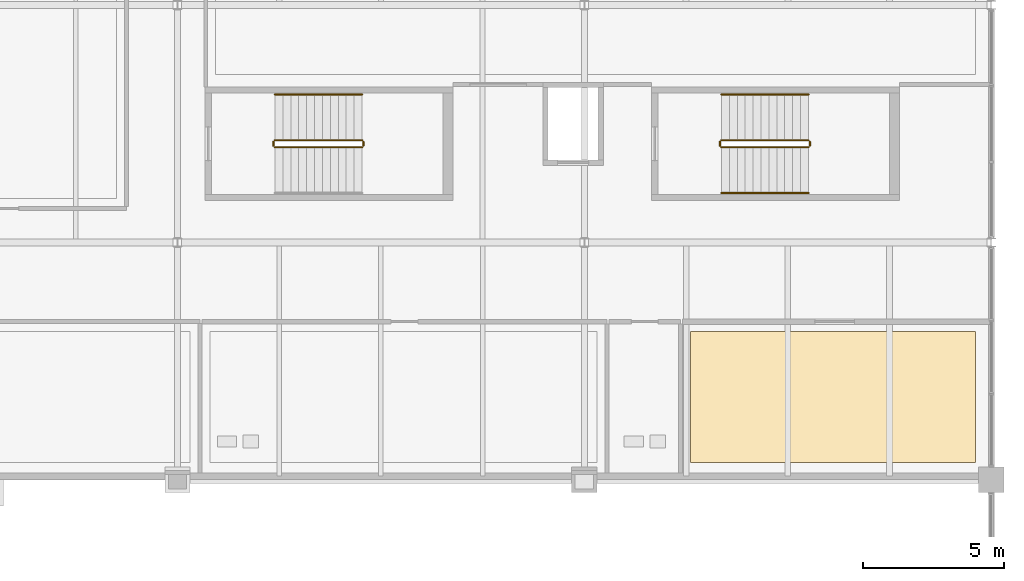
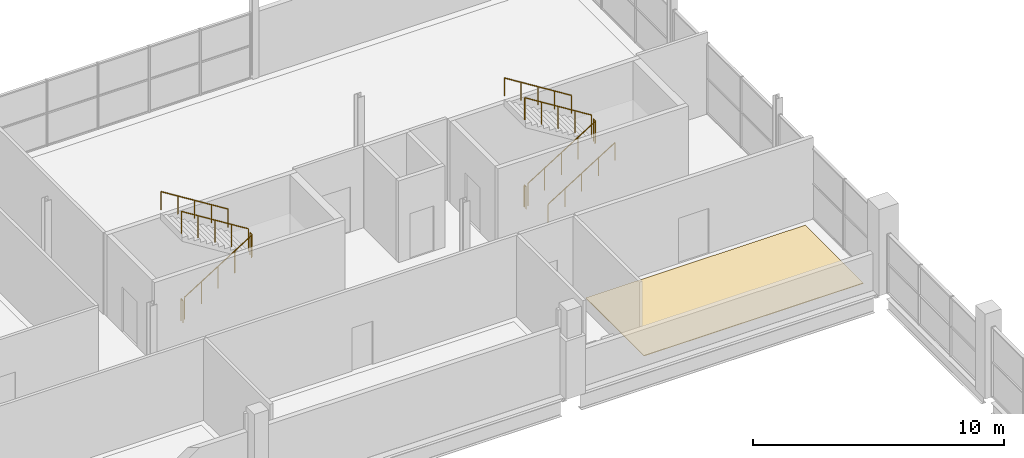
# One storey, part 66 of 68: 11 railings, 1 covering.
"""IFC4 building model written with IfcOpenShell, lengths in metres."""

from ifc_helpers import new_model, si_unit, direction, frame, origin, origin_2d, place, context, subcontext, project, spatial, polyline, circle, outline, extrude, material, layer, layer_set, type_object, element, save


model = new_model("IFC4")

# Units and contexts
model_context = context("Model", 3, precision=1e-05, world=origin(), true_north=direction((0.0, 1.0)))
body_context = subcontext(model_context, "Body", "Model", "MODEL_VIEW")
ifc_project = project(units=[si_unit("LENGTHUNIT", "METRE"), si_unit("AREAUNIT", "SQUARE_METRE"), si_unit("VOLUMEUNIT", "CUBIC_METRE"), si_unit("PLANEANGLEUNIT", "RADIAN"), si_unit("MASSUNIT", "GRAM", prefix="KILO"), si_unit("THERMODYNAMICTEMPERATUREUNIT", "KELVIN")], contexts=[model_context])

# Site, building, storey
site_placement = place(None, origin())
site = spatial("IfcSite", under=ifc_project, at=site_placement, CompositionType="ELEMENT")
building_placement = place(site_placement, origin())
building = spatial("IfcBuilding", under=site, at=building_placement, Name="Nduvali Passage Aquatics Centre", CompositionType="ELEMENT")
storey_placement = place(building_placement, frame((0.0, 0.0, 13.199951171875)))
storey = spatial("IfcBuildingStorey", under=building, at=storey_placement, Name="L03", CompositionType="ELEMENT", Elevation=13.199951171875)

# Covering
ifc_material_1 = material(Name="Polished coral-aggregate terrazzo")
ifc_layer = layer(ifc_material_1, 0.030029296875, Name="Polished coral-aggregate terrazzo")
ifc_layer_set = layer_set([ifc_layer], Name="Polished coral-aggregate terrazzo")
covering_type = type_object("IfcCoveringType", Name="INT-COV-TERRAZZO", PredefinedType="FLOORING", material=ifc_layer_set)
covering_placement = place(storey_placement, origin())
element("IfcCovering", 1, at=covering_placement, inside=storey, type_object=covering_type, Name="L03 Competition Records Archive and IT Server Room Floor Finish", PredefinedType="FLOORING", context=body_context, shape_type="SweptSolid", body=[
    extrude(outline(polyline([(115.35009765625, 93.010009765625), (125.449951171875, 93.010009765625), (125.449951171875, 97.64990234375), (115.35009765625, 97.64990234375), (115.35009765625, 93.010009765625)])), origin(), (0.0, 0.0, 1.0), 0.030029296875),
])

# Railings
ifc_material_2 = material(Name="Stainless steel balustrade", Category="steel")
railing_type_1 = type_object("IfcRailingType", Name="INT-RLG-GRD110", PredefinedType="GUARDRAIL", material=ifc_material_2)
railing_1_placement = place(storey_placement, frame((116.449951171875, 104.169921875, 0.175048828125)))
element("IfcRailing", 2, at=railing_1_placement, inside=storey, type_object=railing_type_1, Name="L03 ST2 stair guard 1", PredefinedType="GUARDRAIL", context=body_context, shape_type="SweptSolid", body=[
    extrude(circle(Radius=0.02392578125, at=origin_2d()), frame((0.0, 0.0, 1.076171875), z_axis=(0.847998304005, 0.0, 0.529998940003), x_axis=(0.0, 1.0, 0.0)), (0.0, 0.0, 1.0), 3.632080078125),
    extrude(circle(Radius=0.02099609375, at=origin_2d()), origin(), (0.0, 0.0, 1.0), 1.052001953125),
    extrude(circle(Radius=0.02099609375, at=origin_2d()), frame((0.77001953125, 0.0, 0.481201171875)), (0.0, 0.0, 1.0), 1.052001953125),
    extrude(circle(Radius=0.02099609375, at=origin_2d()), frame((1.5400390625, 0.0, 0.96240234375)), (0.0, 0.0, 1.0), 1.052001953125),
    extrude(circle(Radius=0.02099609375, at=origin_2d()), frame((2.31005859375, 0.0, 1.44384765625)), (0.0, 0.0, 1.0), 1.052001953125),
    extrude(circle(Radius=0.02099609375, at=origin_2d()), frame((3.080078125, 0.0, 1.925048828125)), (0.0, 0.0, 1.0), 1.052001953125),
])
railing_2_placement = place(storey_placement, frame((119.580078125, 104.219970703125, 2.10009765625)))
element("IfcRailing", 3, at=railing_2_placement, inside=storey, type_object=railing_type_1, Name="L03 ST2 stair guard 2", PredefinedType="GUARDRAIL", context=body_context, shape_type="SweptSolid", body=[
    extrude(circle(Radius=0.02392578125, at=origin_2d()), frame((0.0, 0.0, 1.076171875), z_axis=(0.0, 1.0, 0.0), x_axis=(-1.0, 0.0, 0.0)), (0.0, 0.0, 1.0), 0.150146484375),
    extrude(circle(Radius=0.02099609375, at=origin_2d()), origin(), (0.0, 0.0, 1.0), 1.052001953125),
    extrude(circle(Radius=0.02099609375, at=origin_2d()), frame((0.0, 0.150146484375, 0.0)), (0.0, 0.0, 1.0), 1.052001953125),
])
railing_3_placement = place(storey_placement, frame((119.530029296875, 104.419921875, 2.275146484375)))
element("IfcRailing", 4, at=railing_3_placement, inside=storey, type_object=railing_type_1, Name="L03 ST2 stair guard 3", PredefinedType="GUARDRAIL", context=body_context, shape_type="SweptSolid", body=[
    extrude(circle(Radius=0.02392578125, at=origin_2d()), frame((0.0, 0.0, 1.076171875), z_axis=(-0.848028513186, 0.0, 0.529950602248), x_axis=(0.0, -1.0, 0.0)), (0.0, 0.0, 1.0), 3.632080078125),
    extrude(circle(Radius=0.02099609375, at=origin_2d()), origin(), (0.0, 0.0, 1.0), 1.052001953125),
    extrude(circle(Radius=0.02099609375, at=origin_2d()), frame((-0.77001953125, 0.0, 0.481201171875)), (0.0, 0.0, 1.0), 1.052001953125),
    extrude(circle(Radius=0.02099609375, at=origin_2d()), frame((-1.5400390625, 0.0, 0.96240234375)), (0.0, 0.0, 1.0), 1.052001953125),
    extrude(circle(Radius=0.02099609375, at=origin_2d()), frame((-2.31005859375, 0.0, 1.443603515625)), (0.0, 0.0, 1.0), 1.052001953125),
    extrude(circle(Radius=0.02099609375, at=origin_2d()), frame((-3.080078125, 0.0, 1.9248046875)), (0.0, 0.0, 1.0), 1.052001953125),
])
railing_4_placement = place(storey_placement, frame((116.39990234375, 104.219970703125, 0.0)))
element("IfcRailing", 5, at=railing_4_placement, inside=storey, type_object=railing_type_1, Name="L03 ST2 stair guard 4", PredefinedType="GUARDRAIL", context=body_context, shape_type="SweptSolid", body=[
    extrude(circle(Radius=0.02392578125, at=origin_2d()), frame((0.0, 0.0, 1.076171875), z_axis=(0.0, 1.0, 0.0), x_axis=(-1.0, 0.0, 0.0)), (0.0, 0.0, 1.0), 0.150146484375),
    extrude(circle(Radius=0.02099609375, at=origin_2d()), origin(), (0.0, 0.0, 1.0), 1.052001953125),
    extrude(circle(Radius=0.02099609375, at=origin_2d()), frame((0.0, 0.150146484375, 0.0)), (0.0, 0.0, 1.0), 1.052001953125),
])
railing_5_placement = place(storey_placement, frame((100.64990234375, 104.169921875, 0.175048828125)))
element("IfcRailing", 6, at=railing_5_placement, inside=storey, type_object=railing_type_1, Name="L03 ST11 stair guard 1", PredefinedType="GUARDRAIL", context=body_context, shape_type="SweptSolid", body=[
    extrude(circle(Radius=0.02392578125, at=origin_2d()), frame((0.0, 0.0, 1.076171875), z_axis=(0.847998304005, 0.0, 0.529998940003), x_axis=(0.0, 1.0, 0.0)), (0.0, 0.0, 1.0), 3.632080078125),
    extrude(circle(Radius=0.02099609375, at=origin_2d()), origin(), (0.0, 0.0, 1.0), 1.052001953125),
    extrude(circle(Radius=0.02099609375, at=origin_2d()), frame((0.77001953125, 0.0, 0.481201171875)), (0.0, 0.0, 1.0), 1.052001953125),
    extrude(circle(Radius=0.02099609375, at=origin_2d()), frame((1.5400390625, 0.0, 0.96240234375)), (0.0, 0.0, 1.0), 1.052001953125),
    extrude(circle(Radius=0.02099609375, at=origin_2d()), frame((2.31005859375, 0.0, 1.44384765625)), (0.0, 0.0, 1.0), 1.052001953125),
    extrude(circle(Radius=0.02099609375, at=origin_2d()), frame((3.080078125, 0.0, 1.925048828125)), (0.0, 0.0, 1.0), 1.052001953125),
])
railing_6_placement = place(storey_placement, frame((103.780029296875, 104.219970703125, 2.10009765625)))
element("IfcRailing", 7, at=railing_6_placement, inside=storey, type_object=railing_type_1, Name="L03 ST11 stair guard 2", PredefinedType="GUARDRAIL", context=body_context, shape_type="SweptSolid", body=[
    extrude(circle(Radius=0.02392578125, at=origin_2d()), frame((0.0, 0.0, 1.076171875), z_axis=(0.0, 1.0, 0.0), x_axis=(-1.0, 0.0, 0.0)), (0.0, 0.0, 1.0), 0.150146484375),
    extrude(circle(Radius=0.02099609375, at=origin_2d()), origin(), (0.0, 0.0, 1.0), 1.052001953125),
    extrude(circle(Radius=0.02099609375, at=origin_2d()), frame((0.0, 0.150146484375, 0.0)), (0.0, 0.0, 1.0), 1.052001953125),
])
railing_7_placement = place(storey_placement, frame((103.72998046875, 104.419921875, 2.275146484375)))
element("IfcRailing", 8, at=railing_7_placement, inside=storey, type_object=railing_type_1, Name="L03 ST11 stair guard 3", PredefinedType="GUARDRAIL", context=body_context, shape_type="SweptSolid", body=[
    extrude(circle(Radius=0.02392578125, at=origin_2d()), frame((0.0, 0.0, 1.076171875), z_axis=(-0.848028513186, 0.0, 0.529950602248), x_axis=(0.0, -1.0, 0.0)), (0.0, 0.0, 1.0), 3.632080078125),
    extrude(circle(Radius=0.02099609375, at=origin_2d()), origin(), (0.0, 0.0, 1.0), 1.052001953125),
    extrude(circle(Radius=0.02099609375, at=origin_2d()), frame((-0.77001953125, 0.0, 0.481201171875)), (0.0, 0.0, 1.0), 1.052001953125),
    extrude(circle(Radius=0.02099609375, at=origin_2d()), frame((-1.5400390625, 0.0, 0.96240234375)), (0.0, 0.0, 1.0), 1.052001953125),
    extrude(circle(Radius=0.02099609375, at=origin_2d()), frame((-2.31005859375, 0.0, 1.443603515625)), (0.0, 0.0, 1.0), 1.052001953125),
    extrude(circle(Radius=0.02099609375, at=origin_2d()), frame((-3.080078125, 0.0, 1.9248046875)), (0.0, 0.0, 1.0), 1.052001953125),
])
railing_8_placement = place(storey_placement, frame((100.60009765625, 104.219970703125, 0.0)))
element("IfcRailing", 9, at=railing_8_placement, inside=storey, type_object=railing_type_1, Name="L03 ST11 stair guard 4", PredefinedType="GUARDRAIL", context=body_context, shape_type="SweptSolid", body=[
    extrude(circle(Radius=0.02392578125, at=origin_2d()), frame((0.0, 0.0, 1.076171875), z_axis=(0.0, 1.0, 0.0), x_axis=(-1.0, 0.0, 0.0)), (0.0, 0.0, 1.0), 0.150146484375),
    extrude(circle(Radius=0.02099609375, at=origin_2d()), origin(), (0.0, 0.0, 1.0), 1.052001953125),
    extrude(circle(Radius=0.02099609375, at=origin_2d()), frame((0.0, 0.150146484375, 0.0)), (0.0, 0.0, 1.0), 1.052001953125),
])
railing_type_2 = type_object("IfcRailingType", Name="INT-RLG-HND90", PredefinedType="HANDRAIL", material=ifc_material_2)
railing_9_placement = place(storey_placement, frame((116.449951171875, 102.550048828125, 0.353759765625)))
element("IfcRailing", 10, at=railing_9_placement, inside=storey, type_object=railing_type_2, Name="L03 ST2 stair handrail 1", PredefinedType="HANDRAIL", context=body_context, shape_type="SweptSolid", body=[
    extrude(circle(Radius=0.02392578125, at=origin_2d()), frame((0.0, 0.0, 0.8759765625), z_axis=(0.847998304005, 0.0, 0.529998940003), x_axis=(0.0, 1.0, 0.0)), (0.0, 0.0, 1.0), 3.632080078125),
    extrude(circle(Radius=0.02099609375, at=origin_2d()), origin(), (0.0, 0.0, 1.0), 0.851806640625),
    extrude(circle(Radius=0.02099609375, at=origin_2d()), frame((0.77001953125, 0.0, 0.481201171875)), (0.0, 0.0, 1.0), 0.851806640625),
    extrude(circle(Radius=0.02099609375, at=origin_2d()), frame((1.5400390625, 0.0, 0.96240234375)), (0.0, 0.0, 1.0), 0.851806640625),
    extrude(circle(Radius=0.02099609375, at=origin_2d()), frame((2.31005859375, 0.0, 1.44384765625)), (0.0, 0.0, 1.0), 0.851806640625),
    extrude(circle(Radius=0.02099609375, at=origin_2d()), frame((3.080078125, 0.0, 1.925048828125)), (0.0, 0.0, 1.0), 0.851806640625),
])
for number, where, name in (
    (11, (119.530029296875, 106.0400390625, 2.45361328125), "L03 ST2 stair handrail 2"),
    (12, (103.72998046875, 106.0400390625, 2.45361328125), "L03 ST11 stair handrail 2"),
):
    element("IfcRailing", number, at=place(storey_placement, frame(where)), inside=storey, type_object=railing_type_2, Name=name, PredefinedType="HANDRAIL", context=body_context, shape_type="SweptSolid", body=[
        extrude(circle(Radius=0.02392578125, at=origin_2d()), frame((0.0, 0.0, 0.8759765625), z_axis=(-0.847998304005, 0.0, 0.529998940003), x_axis=(0.0, -1.0, 0.0)), (0.0, 0.0, 1.0), 3.632080078125),
        extrude(circle(Radius=0.02099609375, at=origin_2d()), origin(), (0.0, 0.0, 1.0), 0.851806640625),
        extrude(circle(Radius=0.02099609375, at=origin_2d()), frame((-0.77001953125, 0.0, 0.481201171875)), (0.0, 0.0, 1.0), 0.851806640625),
        extrude(circle(Radius=0.02099609375, at=origin_2d()), frame((-1.5400390625, 0.0, 0.96240234375)), (0.0, 0.0, 1.0), 0.851806640625),
        extrude(circle(Radius=0.02099609375, at=origin_2d()), frame((-2.31005859375, 0.0, 1.44384765625)), (0.0, 0.0, 1.0), 0.851806640625),
        extrude(circle(Radius=0.02099609375, at=origin_2d()), frame((-3.080078125, 0.0, 1.925048828125)), (0.0, 0.0, 1.0), 0.851806640625),
    ])

save(model, "model.ifc")
